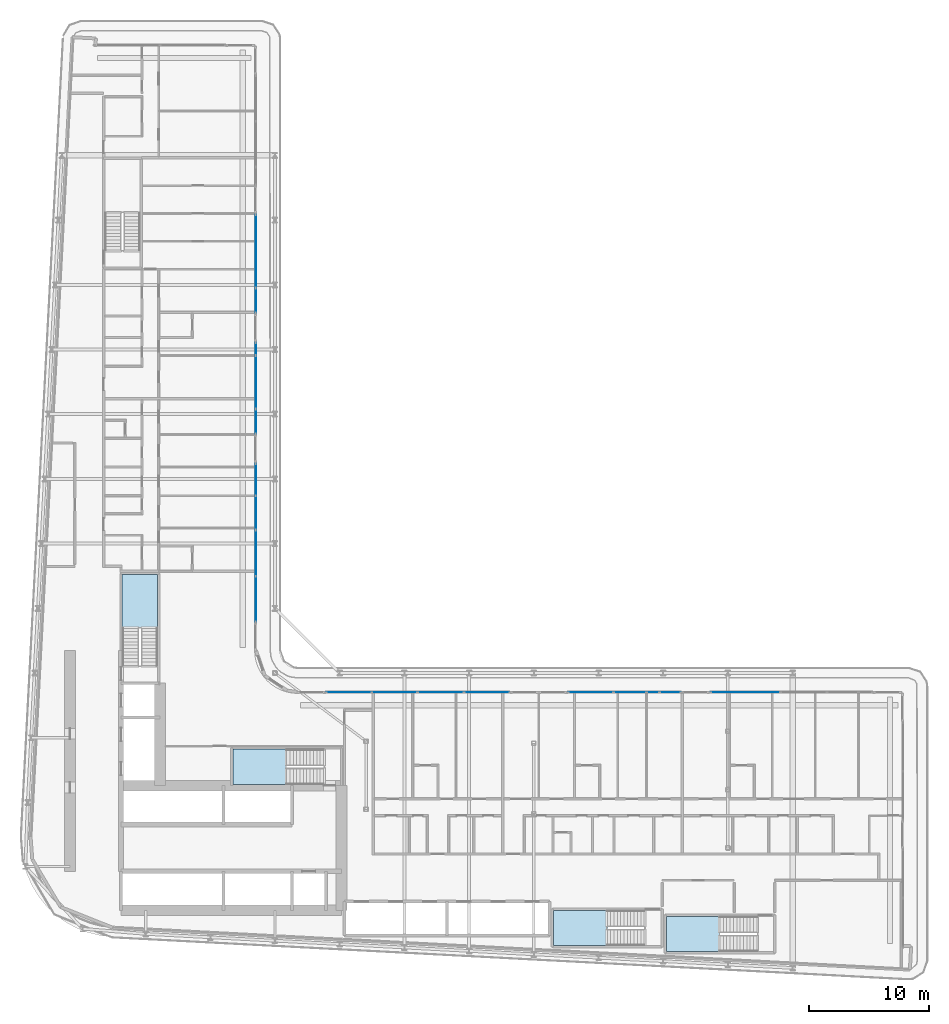
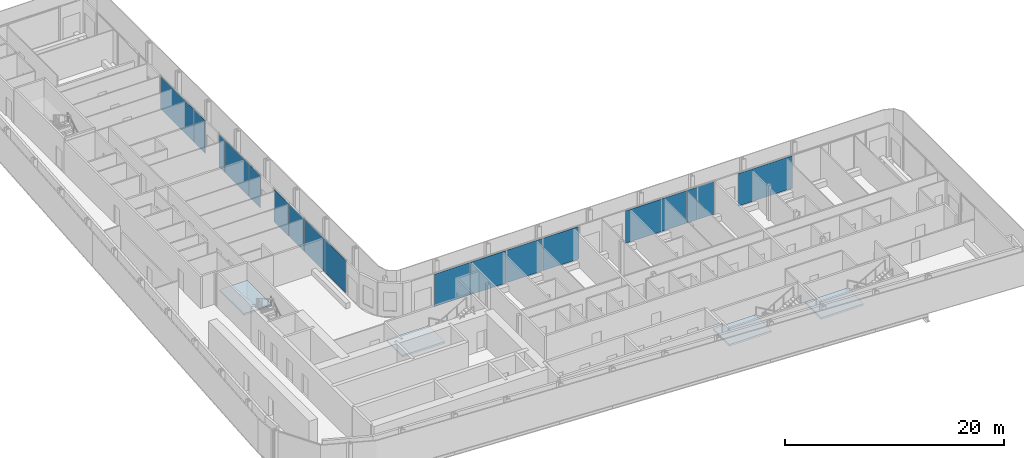
# One storey, part 10 of 29: 18 plates, 4 slabs, 15 elements without a shape of their own.
"""IFC4 building model written with IfcOpenShell, lengths in metres."""

from ifc_helpers import new_model, si_unit, direction, frame, origin, origin_2d, place, context, subcontext, project, spatial, polyline, rectangle, outline, extrude, material, layer, layer_set, type_object, element, aggregate, save


model = new_model("IFC4")

# Units and contexts
model_context = context("Model", 3, precision=1e-05, world=origin(), true_north=direction((0.0, 1.0)))
body_context = subcontext(model_context, "Body", "Model", "MODEL_VIEW")
ifc_project = project(units=[si_unit("LENGTHUNIT", "METRE"), si_unit("AREAUNIT", "SQUARE_METRE"), si_unit("VOLUMEUNIT", "CUBIC_METRE"), si_unit("PLANEANGLEUNIT", "RADIAN"), si_unit("MASSUNIT", "GRAM", prefix="KILO")], contexts=[model_context])

# Site, building, storey
site_placement = place(None, origin())
site = spatial("IfcSite", under=ifc_project, at=site_placement, CompositionType="ELEMENT")
building_placement = place(site_placement, origin())
building = spatial("IfcBuilding", under=site, at=building_placement, Name="Kheshtan School and Residences Tower", CompositionType="ELEMENT")
storey_placement = place(building_placement, frame((0.0, 0.0, 117.5)))
storey = spatial("IfcBuildingStorey", under=building, at=storey_placement, Name="L27", CompositionType="ELEMENT", Elevation=117.5)

# Curtain wall, plate
ifc_material_1 = material(Name="Clear low-e glass in thermally broken aluminium frame", Category="aluminium")
ifc_layer_1 = layer(ifc_material_1, 0.199951171875)
ifc_layer_set_1 = layer_set([ifc_layer_1], Name="Curtain wall CW-L")
curtain_wall_type = type_object("IfcCurtainWallType", Name="Curtain wall CW-L", PredefinedType="NOTDEFINED", material=ifc_layer_set_1)
curtain_wall_1_placement = place(storey_placement, origin())
curtain_wall_1 = element("IfcCurtainWall", 1, at=curtain_wall_1_placement, inside=storey, type_object=curtain_wall_type, Name="Curtain wall CWL8d", PredefinedType="NOTDEFINED")
ifc_layer_2 = layer(ifc_material_1, 0.031982421875)
ifc_layer_set_2 = layer_set([ifc_layer_2], Name="CW-L glass panel")
plate_type = type_object("IfcPlateType", Name="CW-L glass panel", PredefinedType="CURTAIN_PANEL", material=ifc_layer_set_2)
plate_1_placement = place(storey_placement, frame((46.0, 80.80908203125, 0.0), z_axis=(0.0, 0.0, 1.0), x_axis=(0.0, -1.0, 0.0)))
plate_1 = element("IfcPlate", 2, at=plate_1_placement, type_object=plate_type, Name="CWL8d panel 1.1", PredefinedType="CURTAIN_PANEL", context=body_context, shape_type="SweptSolid", body=[
    extrude(rectangle(XDim=6.073974609375, YDim=0.031982421875, at=origin_2d()), origin(), (0.0, 0.0, 1.0), 3.6298828125),
])
aggregate(curtain_wall_1, [plate_1])

curtain_wall_2_placement = place(storey_placement, origin())
curtain_wall_2 = element("IfcCurtainWall", 3, at=curtain_wall_2_placement, inside=storey, type_object=curtain_wall_type, Name="Curtain wall CWL8i", PredefinedType="NOTDEFINED")
plate_2_placement = place(storey_placement, frame((46.0, 76.69189453125, 0.0), z_axis=(0.0, 0.0, 1.0), x_axis=(0.0, -1.0, 0.0)))
plate_2 = element("IfcPlate", 4, at=plate_2_placement, type_object=plate_type, Name="CWL8i panel 1.1", PredefinedType="CURTAIN_PANEL", context=body_context, shape_type="SweptSolid", body=[
    extrude(rectangle(XDim=2.0400390625, YDim=0.031982421875, at=origin_2d()), origin(), (0.0, 0.0, 1.0), 3.6298828125),
])
aggregate(curtain_wall_2, [plate_2])

# Curtain wall, plates
curtain_wall_3_placement = place(storey_placement, origin())
curtain_wall_3 = element("IfcCurtainWall", 5, at=curtain_wall_3_placement, inside=storey, type_object=curtain_wall_type, Name="Curtain wall CWL8l", PredefinedType="NOTDEFINED")
plate_3_placement = place(storey_placement, frame((46.0, 72.64111328125, 0.0), z_axis=(0.0, 0.0, 1.0), x_axis=(0.0, -1.0, 0.0)))
plate_3 = element("IfcPlate", 6, at=plate_3_placement, type_object=plate_type, Name="CWL8l panel 1.1", PredefinedType="CURTAIN_PANEL", context=body_context, shape_type="SweptSolid", body=[
    extrude(rectangle(XDim=1.02197265625, YDim=0.031982421875, at=origin_2d()), origin(), (0.0, 0.0, 1.0), 3.6298828125),
])
plate_4_placement = place(storey_placement, frame((46.0, 69.8740234375, 0.0), z_axis=(0.0, 0.0, 1.0), x_axis=(0.0, -1.0, 0.0)))
plate_4 = element("IfcPlate", 7, at=plate_4_placement, type_object=plate_type, Name="CWL8l panel 2.1", PredefinedType="CURTAIN_PANEL", context=body_context, shape_type="SweptSolid", body=[
    extrude(rectangle(XDim=4.39208984375, YDim=0.031982421875, at=origin_2d()), origin(), (0.0, 0.0, 1.0), 3.6298828125),
])
aggregate(curtain_wall_3, [plate_3, plate_4])

# Curtain wall, plate
curtain_wall_4_placement = place(storey_placement, origin())
curtain_wall_4 = element("IfcCurtainWall", 8, at=curtain_wall_4_placement, inside=storey, type_object=curtain_wall_type, Name="Curtain wall CWL8i", PredefinedType="NOTDEFINED")
plate_5_placement = place(storey_placement, frame((46.0, 66.597900390625, 0.0), z_axis=(0.0, 0.0, 1.0), x_axis=(0.0, -1.0, 0.0)))
plate_5 = element("IfcPlate", 9, at=plate_5_placement, type_object=plate_type, Name="CWL8i panel 1.1", PredefinedType="CURTAIN_PANEL", context=body_context, shape_type="SweptSolid", body=[
    extrude(rectangle(XDim=2.0400390625, YDim=0.031982421875, at=origin_2d()), origin(), (0.0, 0.0, 1.0), 3.6298828125),
])
aggregate(curtain_wall_4, [plate_5])

# Curtain wall, plates
curtain_wall_5_placement = place(storey_placement, origin())
curtain_wall_5 = element("IfcCurtainWall", 10, at=curtain_wall_5_placement, inside=storey, type_object=curtain_wall_type, Name="Curtain wall CWL8l", PredefinedType="NOTDEFINED")
plate_6_placement = place(storey_placement, frame((46.0, 61.743896484375, 0.0), z_axis=(0.0, 0.0, 1.0), x_axis=(0.0, -1.0, 0.0)))
plate_6 = element("IfcPlate", 11, at=plate_6_placement, type_object=plate_type, Name="CWL8l panel 1.1", PredefinedType="CURTAIN_PANEL", context=body_context, shape_type="SweptSolid", body=[
    extrude(rectangle(XDim=2.6279296875, YDim=0.031982421875, at=origin_2d()), origin(), (0.0, 0.0, 1.0), 3.6298828125),
])
plate_7_placement = place(storey_placement, frame((46.0, 58.97705078125, 0.0), z_axis=(0.0, 0.0, 1.0), x_axis=(0.0, -1.0, 0.0)))
plate_7 = element("IfcPlate", 12, at=plate_7_placement, type_object=plate_type, Name="CWL8l panel 2.1", PredefinedType="CURTAIN_PANEL", context=body_context, shape_type="SweptSolid", body=[
    extrude(rectangle(XDim=2.785888671875, YDim=0.031982421875, at=origin_2d()), origin(), (0.0, 0.0, 1.0), 3.6298828125),
])
aggregate(curtain_wall_5, [plate_6, plate_7])

curtain_wall_6_placement = place(storey_placement, origin())
curtain_wall_6 = element("IfcCurtainWall", 13, at=curtain_wall_6_placement, inside=storey, type_object=curtain_wall_type, Name="Curtain wall CWL8", PredefinedType="NOTDEFINED")
plate_8_placement = place(storey_placement, frame((46.0, 55.615478515625, 0.0), z_axis=(0.0, 0.0, 1.0), x_axis=(0.0, -1.0, 0.0)))
plate_8 = element("IfcPlate", 14, at=plate_8_placement, type_object=plate_type, Name="CWL8 panel 1.1", PredefinedType="CURTAIN_PANEL", context=body_context, shape_type="SweptSolid", body=[
    extrude(rectangle(XDim=3.81689453125, YDim=0.031982421875, at=origin_2d()), origin(), (0.0, 0.0, 1.0), 3.6298828125),
])
plate_9_placement = place(storey_placement, frame((46.0, 51.7685546875, 0.0), z_axis=(0.0, 0.0, 1.0), x_axis=(0.0, -1.0, 0.0)))
plate_9 = element("IfcPlate", 15, at=plate_9_placement, type_object=plate_type, Name="CWL8 panel 2.1", PredefinedType="CURTAIN_PANEL", context=body_context, shape_type="SweptSolid", body=[
    extrude(rectangle(XDim=3.757080078125, YDim=0.031982421875, at=origin_2d()), origin(), (0.0, 0.0, 1.0), 3.6298828125),
])
aggregate(curtain_wall_6, [plate_8, plate_9])

curtain_wall_7_placement = place(storey_placement, origin())
curtain_wall_7 = element("IfcCurtainWall", 16, at=curtain_wall_7_placement, inside=storey, type_object=curtain_wall_type, Name="Curtain wall CWL12j", PredefinedType="NOTDEFINED")
plate_10_placement = place(storey_placement, frame((53.7685546875, 44.0, 0.0), z_axis=(0.0, 0.0, 1.0), x_axis=(1.0, 0.0, 0.0)))
plate_10 = element("IfcPlate", 17, at=plate_10_placement, type_object=plate_type, Name="CWL12j panel 1.1", PredefinedType="CURTAIN_PANEL", context=body_context, shape_type="SweptSolid", body=[
    extrude(rectangle(XDim=3.757080078125, YDim=0.031982421875, at=origin_2d()), origin(), (0.0, 0.0, 1.0), 3.6298828125),
])
plate_11_placement = place(storey_placement, frame((57.58544921875, 44.0, 0.0), z_axis=(0.0, 0.0, 1.0), x_axis=(1.0, 0.0, 0.0)))
plate_11 = element("IfcPlate", 18, at=plate_11_placement, type_object=plate_type, Name="CWL12j panel 2.1", PredefinedType="CURTAIN_PANEL", context=body_context, shape_type="SweptSolid", body=[
    extrude(rectangle(XDim=3.757080078125, YDim=0.031982421875, at=origin_2d()), origin(), (0.0, 0.0, 1.0), 3.6298828125),
])
aggregate(curtain_wall_7, [plate_10, plate_11])

curtain_wall_8_placement = place(storey_placement, origin())
curtain_wall_8 = element("IfcCurtainWall", 19, at=curtain_wall_8_placement, inside=storey, type_object=curtain_wall_type, Name="Curtain wall CWL12j", PredefinedType="NOTDEFINED")
plate_12_placement = place(storey_placement, frame((61.4326171875, 44.0, 0.0), z_axis=(0.0, 0.0, 1.0), x_axis=(1.0, 0.0, 0.0)))
plate_12 = element("IfcPlate", 20, at=plate_12_placement, type_object=plate_type, Name="CWL12j panel 1.1", PredefinedType="CURTAIN_PANEL", context=body_context, shape_type="SweptSolid", body=[
    extrude(rectangle(XDim=3.81689453125, YDim=0.031982421875, at=origin_2d()), origin(), (0.0, 0.0, 1.0), 3.6298828125),
])
plate_13_placement = place(storey_placement, frame((65.279541015625, 44.0, 0.0), z_axis=(0.0, 0.0, 1.0), x_axis=(1.0, 0.0, 0.0)))
plate_13 = element("IfcPlate", 21, at=plate_13_placement, type_object=plate_type, Name="CWL12j panel 2.1", PredefinedType="CURTAIN_PANEL", context=body_context, shape_type="SweptSolid", body=[
    extrude(rectangle(XDim=3.757080078125, YDim=0.031982421875, at=origin_2d()), origin(), (0.0, 0.0, 1.0), 3.6298828125),
])
aggregate(curtain_wall_8, [plate_12, plate_13])

curtain_wall_9_placement = place(storey_placement, origin())
curtain_wall_9 = element("IfcCurtainWall", 22, at=curtain_wall_9_placement, inside=storey, type_object=curtain_wall_type, Name="Curtain wall CWL12k", PredefinedType="NOTDEFINED")
plate_14_placement = place(storey_placement, frame((73.95654296875, 44.0, 0.0), z_axis=(0.0, 0.0, 1.0), x_axis=(1.0, 0.0, 0.0)))
plate_14 = element("IfcPlate", 23, at=plate_14_placement, type_object=plate_type, Name="CWL12k panel 1.1", PredefinedType="CURTAIN_PANEL", context=body_context, shape_type="SweptSolid", body=[
    extrude(rectangle(XDim=3.757080078125, YDim=0.031982421875, at=origin_2d()), origin(), (0.0, 0.0, 1.0), 3.6298828125),
])
plate_15_placement = place(storey_placement, frame((77.232421875, 44.0, 0.0), z_axis=(0.0, 0.0, 1.0), x_axis=(1.0, 0.0, 0.0)))
plate_15 = element("IfcPlate", 24, at=plate_15_placement, type_object=plate_type, Name="CWL12k panel 2.1", PredefinedType="CURTAIN_PANEL", context=body_context, shape_type="SweptSolid", body=[
    extrude(rectangle(XDim=2.675048828125, YDim=0.031982421875, at=origin_2d()), origin(), (0.0, 0.0, 1.0), 3.6298828125),
])
plate_16_placement = place(storey_placement, frame((79.14111328125, 44.0, 0.0), z_axis=(0.0, 0.0, 1.0), x_axis=(1.0, 0.0, 0.0)))
plate_16 = element("IfcPlate", 25, at=plate_16_placement, type_object=plate_type, Name="CWL12k panel 3.1", PredefinedType="CURTAIN_PANEL", context=body_context, shape_type="SweptSolid", body=[
    extrude(rectangle(XDim=1.02197265625, YDim=0.031982421875, at=origin_2d()), origin(), (0.0, 0.0, 1.0), 3.6298828125),
])
aggregate(curtain_wall_9, [plate_14, plate_15, plate_16])

# Curtain wall, plate
curtain_wall_10_placement = place(storey_placement, origin())
curtain_wall_10 = element("IfcCurtainWall", 26, at=curtain_wall_10_placement, inside=storey, type_object=curtain_wall_type, Name="Curtain wall CWL12q", PredefinedType="NOTDEFINED")
plate_17_placement = place(storey_placement, frame((80.58203125, 44.0, 0.0), z_axis=(0.0, 0.0, 1.0), x_axis=(1.0, 0.0, 0.0)))
plate_17 = element("IfcPlate", 27, at=plate_17_placement, type_object=plate_type, Name="CWL12q panel 1.1", PredefinedType="CURTAIN_PANEL", context=body_context, shape_type="SweptSolid", body=[
    extrude(rectangle(XDim=1.739990234375, YDim=0.031982421875, at=origin_2d()), origin(), (0.0, 0.0, 1.0), 3.6298828125),
])
aggregate(curtain_wall_10, [plate_17])

curtain_wall_11_placement = place(storey_placement, origin())
curtain_wall_11 = element("IfcCurtainWall", 28, at=curtain_wall_11_placement, inside=storey, type_object=curtain_wall_type, Name="Curtain wall CWL12r", PredefinedType="NOTDEFINED")
plate_18_placement = place(storey_placement, frame((86.85888671875, 44.0, 0.0), z_axis=(0.0, 0.0, 1.0), x_axis=(1.0, 0.0, 0.0)))
plate_18 = element("IfcPlate", 29, at=plate_18_placement, type_object=plate_type, Name="CWL12r panel 1.1", PredefinedType="CURTAIN_PANEL", context=body_context, shape_type="SweptSolid", body=[
    extrude(rectangle(XDim=5.77392578125, YDim=0.031982421875, at=origin_2d()), origin(), (0.0, 0.0, 1.0), 3.6298828125),
])
aggregate(curtain_wall_11, [plate_18])

# Stair, slab
ifc_material_2 = material(Name="Concrete C40/50", Category="concrete")
stair_type = type_object("IfcStairType", Name="Exit stair, half-turn", PredefinedType="HALF_TURN_STAIR", material=ifc_material_2)
stair_1_placement = place(storey_placement, origin())
stair_1 = element("IfcStair", 30, at=stair_1_placement, inside=storey, type_object=stair_type, Name="L27 Protected Exit Stair ST1", PredefinedType="HALF_TURN_STAIR")
ifc_layer_3 = layer(ifc_material_2, 0.199951171875)
ifc_layer_set_3 = layer_set([ifc_layer_3], Name="Stair landing 200 Concrete C40/50")
slab_type = type_object("IfcSlabType", Name="Stair landing 200 Concrete C40/50", PredefinedType="LANDING", material=ifc_layer_set_3)
slab_1_placement = place(storey_placement, frame((0.0, 0.0, 1.75)))
slab_1 = element("IfcSlab", 31, at=slab_1_placement, type_object=slab_type, Name="ST1 landing 1", PredefinedType="LANDING", context=body_context, shape_type="SweptSolid", body=[
    extrude(outline(polyline([(48.570068359375, 39.25), (44.090087890625, 39.25), (44.090087890625, 36.300048828125), (48.570068359375, 36.300048828125), (48.570068359375, 39.25)])), origin(), (0.0, 0.0, 1.0), 0.199951171875),
])
aggregate(stair_1, [slab_1])

stair_2_placement = place(storey_placement, origin())
stair_2 = element("IfcStair", 32, at=stair_2_placement, inside=storey, type_object=stair_type, Name="L27 Protected Exit Stair ST2", PredefinedType="HALF_TURN_STAIR")
slab_2_placement = place(storey_placement, frame((0.0, 0.0, 1.75)))
slab_2 = element("IfcSlab", 33, at=slab_2_placement, type_object=slab_type, Name="ST2 landing 1", PredefinedType="LANDING", context=body_context, shape_type="SweptSolid", body=[
    extrude(outline(polyline([(37.800048828125, 49.330078125), (37.800048828125, 53.81005859375), (34.85009765625, 53.81005859375), (34.85009765625, 49.330078125), (37.800048828125, 49.330078125)])), origin(), (0.0, 0.0, 1.0), 0.199951171875),
])
aggregate(stair_2, [slab_2])

stair_3_placement = place(storey_placement, origin())
stair_3 = element("IfcStair", 34, at=stair_3_placement, inside=storey, type_object=stair_type, Name="L27 Protected Exit Stair ST4", PredefinedType="HALF_TURN_STAIR")
slab_3_placement = place(storey_placement, frame((0.0, 0.0, 1.75)))
slab_3 = element("IfcSlab", 35, at=slab_3_placement, type_object=slab_type, Name="ST4 landing 1", PredefinedType="LANDING", context=body_context, shape_type="SweptSolid", body=[
    extrude(outline(polyline([(84.739990234375, 25.300048828125), (80.260009765625, 25.300048828125), (80.260009765625, 22.35009765625), (84.739990234375, 22.35009765625), (84.739990234375, 25.300048828125)])), origin(), (0.0, 0.0, 1.0), 0.199951171875),
])
aggregate(stair_3, [slab_3])

stair_4_placement = place(storey_placement, origin())
stair_4 = element("IfcStair", 36, at=stair_4_placement, inside=storey, type_object=stair_type, Name="L27 Protected Exit Stair ST5", PredefinedType="HALF_TURN_STAIR")
slab_4_placement = place(storey_placement, frame((0.0, 0.0, 1.75)))
slab_4 = element("IfcSlab", 37, at=slab_4_placement, type_object=slab_type, Name="ST5 landing 1", PredefinedType="LANDING", context=body_context, shape_type="SweptSolid", body=[
    extrude(outline(polyline([(75.330078125, 25.800048828125), (70.85009765625, 25.800048828125), (70.85009765625, 22.85009765625), (75.330078125, 22.85009765625), (75.330078125, 25.800048828125)])), origin(), (0.0, 0.0, 1.0), 0.199951171875),
])
aggregate(stair_4, [slab_4])

save(model, "model.ifc")
